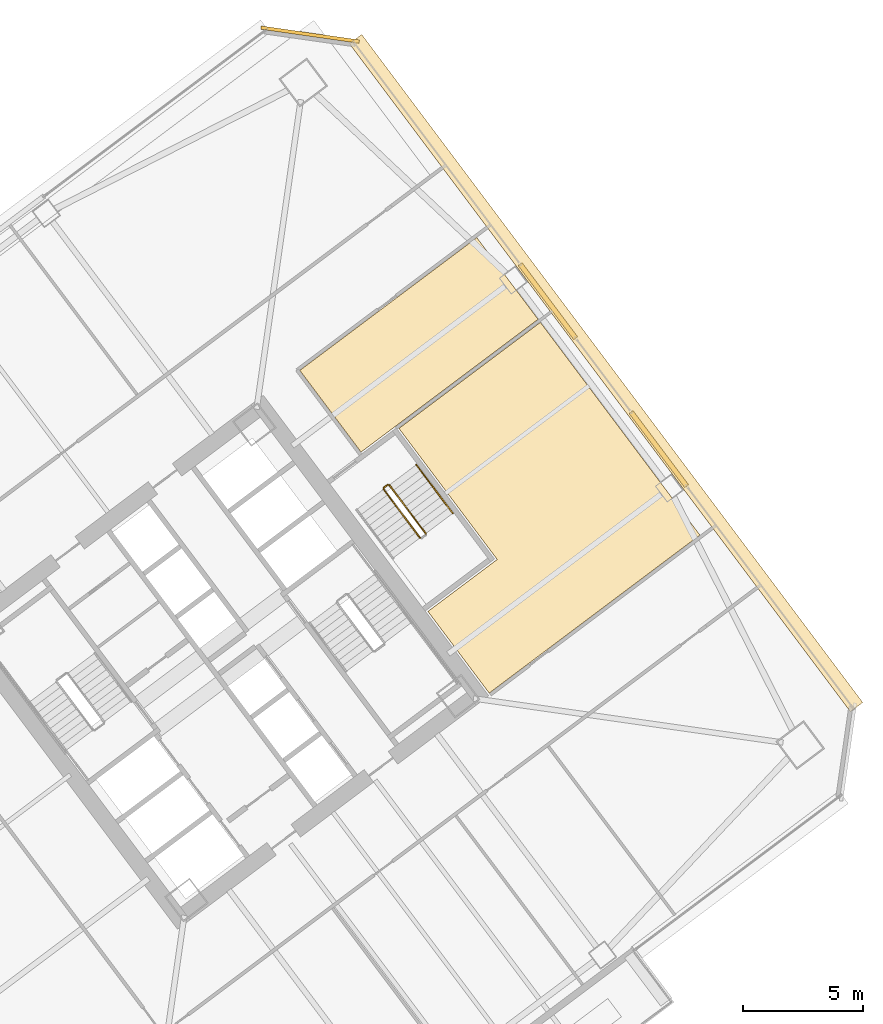
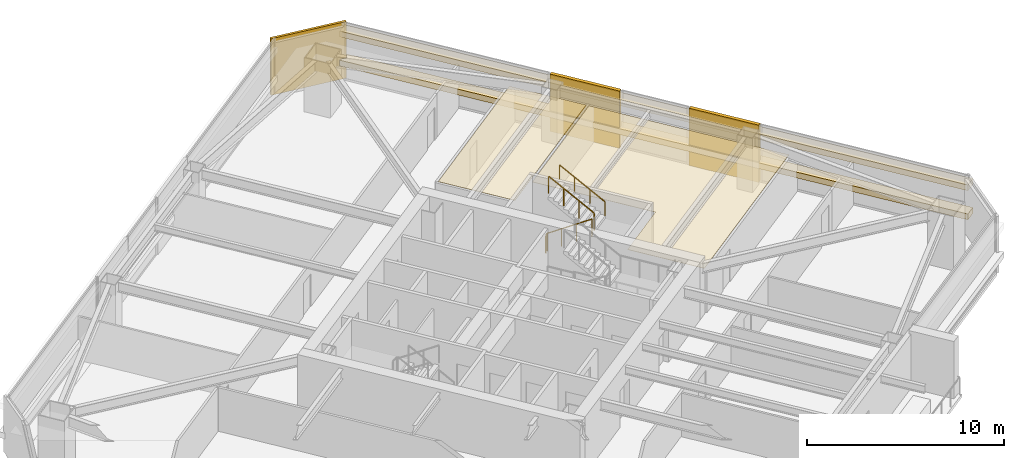
# One storey, part 45 of 46: 7 coverings, 4 railings.
"""IFC4 building model written with IfcOpenShell, lengths in metres."""

import ifcopenshell
import ifcopenshell.guid

model = None  # the IFC model being written
_history = None  # IfcOwnerHistory: only IFC2X3 demands one
_inside = {}  # id of a spatial element -> (the spatial element, [elements in it])
_under = {}  # id of a project, library or spatial element -> (it, [spatial elements below it])
_declared = {}  # id of a project -> (the project, [libraries it declares])
_typed = {}  # id of a type object -> (the type object, [elements of that type])
_made_of = {}  # id of a material, layer set ... -> (it, [elements and type objects made of it])


def new_model(schema):
    """Start an empty IFC model of exactly this schema.

    Asked for "IFC4X3", IfcOpenShell would pick the latest addendum, in which some entities
    have other attributes; the version numbers below select the first issue.
    IFC2X3 requires an IfcOwnerHistory on every rooted entity: one is made here for all.
    """
    global model, _history
    if schema == "IFC4X3":
        model = ifcopenshell.file(schema_version=(4, 3, 0, 0))
    else:
        model = ifcopenshell.file(schema=schema)
    _inside.clear()
    _under.clear()
    _declared.clear()
    _typed.clear()
    _made_of.clear()
    _history = None
    if model.schema == "IFC2X3":
        org = make("IfcOrganization", Name="unknown")
        user = make(
            "IfcPersonAndOrganization",
            ThePerson=make("IfcPerson", FamilyName="unknown"),
            TheOrganization=org,
        )
        app = make(
            "IfcApplication",
            ApplicationDeveloper=org,
            Version="unknown",
            ApplicationFullName="unknown",
            ApplicationIdentifier="unknown",
        )
        _history = make(
            "IfcOwnerHistory",
            OwningUser=user,
            OwningApplication=app,
            ChangeAction="ADDED",
            CreationDate=0,
        )
    return model


def make(cls, **values):
    """One entity of the class cls with the attributes given. An attribute that is None is left unset."""
    return model.create_entity(
        cls, **{name: value for name, value in values.items() if value is not None}
    )


def rooted(cls, **values):
    """An entity with a GlobalId (a new one), such as an element, a storey or a relation."""
    return make(cls, GlobalId=ifcopenshell.guid.new(), OwnerHistory=_history, **values)


def si_unit(unit_type, name, prefix=None):
    """IfcSIUnit, for example si_unit("LENGTHUNIT", "METRE", prefix="MILLI")."""
    return make("IfcSIUnit", UnitType=unit_type, Prefix=prefix, Name=name)


def assignment(units):
    """IfcUnitAssignment: the units of a project."""
    return None if units is None else make("IfcUnitAssignment", Units=units)


def point(xyz):
    """IfcCartesianPoint."""
    return None if xyz is None else make("IfcCartesianPoint", Coordinates=xyz)


def direction(xyz):
    """IfcDirection."""
    return None if xyz is None else make("IfcDirection", DirectionRatios=xyz)


def frame(location, z_axis=None, x_axis=None):
    """IfcAxis2Placement3D, a coordinate frame: its origin and axes. An axis left out is left unset."""
    return make(
        "IfcAxis2Placement3D",
        Location=point(location),
        Axis=direction(z_axis),
        RefDirection=direction(x_axis),
    )


def frame_2d(location, x_axis=None):
    """IfcAxis2Placement2D, a coordinate frame in the plane: its origin and x axis."""
    return make(
        "IfcAxis2Placement2D", Location=point(location), RefDirection=direction(x_axis)
    )


def origin():
    """The frame at (0, 0, 0) with its axes left unset."""
    return frame((0.0, 0.0, 0.0))


def origin_2d():
    """The frame at (0, 0) in the plane with its x axis left unset."""
    return frame_2d((0.0, 0.0))


def place(relative_to, where):
    """IfcLocalPlacement: puts the frame where relative to a parent placement (None: the world)."""
    return make(
        "IfcLocalPlacement", PlacementRelTo=relative_to, RelativePlacement=where
    )


def context(
    kind, dimensions, precision=None, world=None, true_north=None, identifier=None
):
    """IfcGeometricRepresentationContext, for example the 3D "Model" context."""
    return make(
        "IfcGeometricRepresentationContext",
        ContextIdentifier=identifier,
        ContextType=kind,
        CoordinateSpaceDimension=dimensions,
        Precision=precision,
        WorldCoordinateSystem=world,
        TrueNorth=true_north,
    )


def subcontext(parent, identifier, kind, view, scale=None):
    """IfcGeometricRepresentationSubContext, for example "Body" below "Model"."""
    return make(
        "IfcGeometricRepresentationSubContext",
        ContextIdentifier=identifier,
        ContextType=kind,
        ParentContext=parent,
        TargetScale=scale,
        TargetView=view,
    )


def project(units=None, contexts=None):
    """IfcProject with its units and contexts."""
    return rooted(
        "IfcProject",
        Name="project",
        RepresentationContexts=contexts,
        UnitsInContext=assignment(units),
    )


def spatial(cls, under=None, at=None, **own):
    """A site, building, storey or space (cls), placed at a placement, below another one or the project."""
    s = rooted(cls, ObjectPlacement=at, **own)
    if under is not None:
        _under.setdefault(under.id(), (under, []))[1].append(s)
    return s


def polyline(points):
    """IfcPolyline through the points."""
    return make("IfcPolyline", Points=[point(p) for p in points])


def profile(cls, at=None, kind="AREA", **sizes):
    """A parametric profile (cls). Its sizes go by their IFC names, for example OverallWidth=200.0."""
    return make(cls, ProfileType=kind, Position=at, **sizes)


def rectangle(**sizes):
    """IfcRectangleProfileDef."""
    return profile("IfcRectangleProfileDef", **sizes)


def outline(outer, holes=None, kind="AREA"):
    """IfcArbitraryClosedProfileDef: a profile drawn as a closed curve; with holes, ...WithVoids."""
    if holes is None:
        return make("IfcArbitraryClosedProfileDef", ProfileType=kind, OuterCurve=outer)
    return make(
        "IfcArbitraryProfileDefWithVoids",
        ProfileType=kind,
        OuterCurve=outer,
        InnerCurves=holes,
    )


def extrude(swept, where, along, depth):
    """IfcExtrudedAreaSolid: the profile swept, set in the frame where, extruded along a direction by depth."""
    return make(
        "IfcExtrudedAreaSolid",
        SweptArea=swept,
        Position=where,
        ExtrudedDirection=direction(along),
        Depth=depth,
    )


def shape(context_of_items, identifier, shape_type, items):
    """IfcShapeRepresentation: the items that make up one representation, for example the "Body"."""
    return make(
        "IfcShapeRepresentation",
        ContextOfItems=context_of_items,
        RepresentationIdentifier=identifier,
        RepresentationType=shape_type,
        Items=items,
    )


def material(Name=None, Category=None):
    """IfcMaterial."""
    return make("IfcMaterial", Name=Name, Category=Category)


def layer(
    of_material, thickness, ventilated=None, Name=None, Category=None, Priority=None
):
    """IfcMaterialLayer: one layer of a wall or slab, of a material (None: an air gap)."""
    return make(
        "IfcMaterialLayer",
        Material=of_material,
        LayerThickness=thickness,
        IsVentilated=ventilated,
        Name=Name,
        Category=Category,
        Priority=Priority,
    )


def layer_set(layers, Name=None):
    """IfcMaterialLayerSet."""
    return make("IfcMaterialLayerSet", MaterialLayers=layers, LayerSetName=Name)


def made_of(thing, what):
    """Note that an element or type object is made of a material, layer set ...; save() writes the relation."""
    if what is not None:
        _made_of.setdefault(what.id(), (what, []))[1].append(thing)
    return thing


def type_object(cls, material=None, **own):
    """A type object (cls), such as IfcWallType, which elements share."""
    return made_of(rooted(cls, **own), material)


def element(
    cls,
    number,
    at=None,
    inside=None,
    cuts=None,
    type_object=None,
    material=None,
    context=None,
    identifier="Body",
    shape_type=None,
    held_by="IfcProductDefinitionShape",
    body=None,
    shapes=None,
    **own,
):
    """One element of the class cls, such as IfcWall. Its Tag is "e" and its number.

    at: its placement. inside: the storey or other place that contains it. cuts: it is an
    opening in that element (IfcRelVoidsElement). A single representation is given by context,
    identifier, shape_type and body (its items); several are given by shapes. held_by: the class
    of the entity that holds the representations. save() writes the other relations.
    """
    e = rooted(cls, Tag="e%d" % number, ObjectPlacement=at, **own)
    if body is not None:
        shapes = [shape(context, identifier, shape_type, body)]
    if shapes is not None:
        e.Representation = make(held_by, Representations=shapes)
    if inside is not None:
        _inside.setdefault(inside.id(), (inside, []))[1].append(e)
    if cuts is not None:
        rooted(
            "IfcRelVoidsElement", RelatingBuildingElement=cuts, RelatedOpeningElement=e
        )
    if type_object is not None:
        _typed.setdefault(type_object.id(), (type_object, []))[1].append(e)
    return made_of(e, material)


def aggregate(whole, parts):
    """IfcRelAggregates: a whole, such as a stair, and the parts it consists of."""
    return rooted("IfcRelAggregates", RelatingObject=whole, RelatedObjects=parts)


def save(model, path):
    """Write the relations noted so far, then the file.

    IfcRelAggregates (storeys below a building ...), IfcRelContainedInSpatialStructure (elements
    in a storey), IfcRelDefinesByType, IfcRelAssociatesMaterial and IfcRelDeclares: one each for
    every whole, place, type object, material and project.
    """
    for whole, parts in _under.values():
        aggregate(whole, parts)
    for where, things in _inside.values():
        rooted(
            "IfcRelContainedInSpatialStructure",
            RelatedElements=things,
            RelatingStructure=where,
        )
    for kind, things in _typed.values():
        rooted("IfcRelDefinesByType", RelatedObjects=things, RelatingType=kind)
    for what, things in _made_of.values():
        rooted("IfcRelAssociatesMaterial", RelatedObjects=things, RelatingMaterial=what)
    for by, libraries in _declared.values():
        rooted("IfcRelDeclares", RelatingContext=by, RelatedDefinitions=libraries)
    model.write(path)


model = new_model("IFC4")

# Units and contexts
model_context = context("Model", 3, precision=1e-05, world=origin(), true_north=direction((0.0, 1.0)))
body_context = subcontext(model_context, "Body", "Model", "MODEL_VIEW")
ifc_project = project(units=[si_unit("LENGTHUNIT", "METRE"), si_unit("AREAUNIT", "SQUARE_METRE"), si_unit("VOLUMEUNIT", "CUBIC_METRE"), si_unit("PLANEANGLEUNIT", "RADIAN"), si_unit("MASSUNIT", "GRAM", prefix="KILO")], contexts=[model_context])

# Site, building, storey
site_placement = place(None, origin())
site = spatial("IfcSite", under=ifc_project, at=site_placement, CompositionType="ELEMENT")
building_placement = place(site_placement, origin())
building = spatial("IfcBuilding", under=site, at=building_placement, Name="Tashvorn Skyway Center", CompositionType="ELEMENT")
storey_placement = place(building_placement, frame((0.0, 0.0, 99.14990234375)))
storey = spatial("IfcBuildingStorey", under=building, at=storey_placement, Name="L26", CompositionType="ELEMENT", Elevation=99.14990234375)

# Coverings
ifc_material_1 = material(Name="Precast concrete C40/50", Category="concrete")
ifc_layer_1 = layer(ifc_material_1, 0.199951171875)
ifc_layer_set_1 = layer_set([ifc_layer_1], Name="Precast concrete C40/50")
covering_type_1 = type_object("IfcCoveringType", Name="COV-BRACE-CLAD", PredefinedType="CLADDING", material=ifc_layer_set_1)
for number, where, z_axis, x_axis, name in (
    (1, (127.60009765625, 47.0, 0.0), (0.0, 0.0, 1.0), (0.600000004945, -0.799999996291, 0.0), "Tower 2 L26 East Unitised Curtain Wall Mega-Brace Cladding Band 1"),
    (2, (132.2080078125, 40.85595703125, 0.0), (0.0, 0.0, 1.0), (0.600000004945, -0.799999996291, 0.0), "Tower 2 L26 East Unitised Curtain Wall Mega-Brace Cladding Band 2"),
):
    element("IfcCovering", number, at=place(storey_placement, frame(where, z_axis=z_axis, x_axis=x_axis)), inside=storey, type_object=covering_type_1, Name=name, PredefinedType="CLADDING", context=body_context, shape_type="SweptSolid", body=[
        extrude(rectangle(XDim=3.840087890625, YDim=0.199951171875, at=origin_2d()), origin(), (0.0, 0.0, 1.0), 3.550048828125),
    ])
ifc_material_2 = material(Name="Mineral-fibre acoustic ceiling tile on suspended grid")
ifc_layer_2 = layer(ifc_material_2, 0.02001953125)
ifc_layer_set_2 = layer_set([ifc_layer_2], Name="Mineral-fibre acoustic ceiling tile on suspended grid")
covering_type_2 = type_object("IfcCoveringType", Name="COV-CEIL-20", PredefinedType="CEILING", material=ifc_layer_set_2)
covering_1_placement = place(storey_placement, frame((0.0, 0.0, 2.68310546875)))
element("IfcCovering", 3, at=covering_1_placement, inside=storey, type_object=covering_type_2, Name="Tower 2 L26 Executive Suite Acoustic Ceiling", PredefinedType="CEILING", context=body_context, shape_type="SweptSolid", body=[
    extrude(outline(polyline([(119.840087890625, 40.72998046875), (117.2958984375, 44.1220703125), (124.64794921875, 49.635986328125), (127.19189453125, 46.243896484375), (119.840087890625, 40.72998046875)])), origin(), (0.0, 0.0, 1.0), 0.02001953125),
])
covering_2_placement = place(storey_placement, frame((0.0, 0.0, 2.68310546875)))
element("IfcCovering", 4, at=covering_2_placement, inside=storey, type_object=covering_type_2, Name="Tower 2 L26 Public Restroom Acoustic Ceiling", PredefinedType="CEILING", context=body_context, shape_type="SweptSolid", body=[
    extrude(outline(polyline([(125.159912109375, 30.719970703125), (122.615966796875, 34.112060546875), (125.49609375, 36.27197265625), (121.416015625, 41.7119140625), (127.2880859375, 46.115966796875), (131.367919921875, 40.676025390625), (133.912109375, 37.283935546875), (125.159912109375, 30.719970703125)])), origin(), (0.0, 0.0, 1.0), 0.02001953125),
])
ifc_material_3 = material(Name="Perforated ceramic-coated bronze aluminium solar screen", Category="aluminium")
ifc_layer_3 = layer(ifc_material_3, 0.85009765625)
ifc_layer_set_3 = layer_set([ifc_layer_3], Name="Perforated ceramic-coated bronze aluminium solar screen")
covering_type_3 = type_object("IfcCoveringType", Name="COV-SOLAR-BAND", PredefinedType="CLADDING", material=ifc_layer_set_3)
for number, where, z_axis, x_axis, name in (
    (5, (130.01611328125, 44.011962890625, 0.919921875), (0.0, 0.0, 1.0), (0.600000004945, -0.799999996291, 0.0), "L26 Perforated Ceramic-Metal Solar Screen Louvre Band East 1"),
    (6, (130.01611328125, 44.011962890625, 2.72021484375), (0.0, 0.0, 1.0), (0.600000004945, -0.799999996291, 0.0), "L26 Perforated Ceramic-Metal Solar Screen Louvre Band East 2"),
):
    element("IfcCovering", number, at=place(storey_placement, frame(where, z_axis=z_axis, x_axis=x_axis)), inside=storey, type_object=covering_type_3, Name=name, PredefinedType="CLADDING", context=body_context, shape_type="SweptSolid", body=[
        extrude(rectangle(XDim=34.679931640625, YDim=0.639892578125, at=origin_2d()), origin(), (0.0, 0.0, 1.0), 0.360107421875),
    ])
ifc_layer_4 = layer(ifc_material_1, 0.35009765625)
ifc_layer_set_4 = layer_set([ifc_layer_4], Name="Precast concrete C40/50")
covering_type_4 = type_object("IfcCoveringType", Name="COV-STONE-TRIM", PredefinedType="CLADDING", material=ifc_layer_set_4)
covering_3_placement = place(storey_placement, frame((117.72412109375, 58.068115234375, 0.02001953125), z_axis=(0.0, 0.0, 1.0), x_axis=(0.989949494535, -0.141421350118, 0.0)))
element("IfcCovering", 7, at=covering_3_placement, inside=storey, type_object=covering_type_4, Name="Tower 2 L26 NE Mojave Limestone Corner Quoin", PredefinedType="CLADDING", context=body_context, shape_type="SweptSolid", body=[
    extrude(rectangle(XDim=4.119873046875, YDim=0.139892578125, at=origin_2d()), origin(), (0.0, 0.0, 1.0), 3.510009765625),
])

# Railings
ifc_material_4 = material(Name="Brushed stainless steel 316", Category="steel")
railing_type_1 = type_object("IfcRailingType", Name="RAIL-HAND-920", PredefinedType="HANDRAIL", material=ifc_material_4)
railing_1_placement = place(storey_placement, frame((123.64794921875, 38.18603515625, 1.95263671875)))
element("IfcRailing", 8, at=railing_1_placement, inside=storey, type_object=railing_type_1, Name="L26 ST-T2-3 stair handrail 2", PredefinedType="HANDRAIL", context=body_context, shape_type="SweptSolid", body=[
    extrude(rectangle(XDim=0.048095703125, YDim=0.048095703125, at=origin_2d()), frame((0.0, 0.0, 0.8759765625), z_axis=(-0.506768818287, 0.675664481285, 0.535409071218), x_axis=(-0.79998837352, -0.60001550166, 0.0)), (0.0, 0.0, 1.0), 2.983642578125),
    extrude(rectangle(XDim=0.0419921875, YDim=0.0419921875, at=origin_2d()), origin(), (0.0, 0.0, 1.0), 0.851806640625),
    extrude(rectangle(XDim=0.0419921875, YDim=0.0419921875, at=origin_2d()), frame((-0.50390625, 0.671875, 0.532470703125)), (0.0, 0.0, 1.0), 0.851806640625),
    extrude(rectangle(XDim=0.0419921875, YDim=0.0419921875, at=origin_2d()), frame((-1.008056640625, 1.343994140625, 1.06494140625)), (0.0, 0.0, 1.0), 0.851806640625),
    extrude(rectangle(XDim=0.0419921875, YDim=0.0419921875, at=origin_2d()), frame((-1.511962890625, 2.015869140625, 1.597412109375)), (0.0, 0.0, 1.0), 0.851806640625),
])
ifc_material_5 = material(Name="Painted galvanized steel S355", Category="steel")
railing_type_2 = type_object("IfcRailingType", Name="RAIL-STGUARD-1100", PredefinedType="GUARDRAIL", material=ifc_material_5)
railing_2_placement = place(storey_placement, frame((120.77587890625, 39.181884765625, 0.177490234375)))
element("IfcRailing", 9, at=railing_2_placement, inside=storey, type_object=railing_type_2, Name="L26 ST-T2-3 stair guard 1", PredefinedType="GUARDRAIL", context=body_context, shape_type="SweptSolid", body=[
    extrude(rectangle(XDim=0.048095703125, YDim=0.048095703125, at=origin_2d()), frame((0.0, 0.0, 1.076171875), z_axis=(0.506807425148, -0.675606863004, 0.535445235739), x_axis=(0.799941867976, 0.600077501544, 0.0)), (0.0, 0.0, 1.0), 2.98388671875),
    extrude(rectangle(XDim=0.0419921875, YDim=0.0419921875, at=origin_2d()), origin(), (0.0, 0.0, 1.0), 1.052001953125),
    extrude(rectangle(XDim=0.0419921875, YDim=0.0419921875, at=origin_2d()), frame((0.504150390625, -0.671875, 0.532470703125)), (0.0, 0.0, 1.0), 1.052001953125),
    extrude(rectangle(XDim=0.0419921875, YDim=0.0419921875, at=origin_2d()), frame((1.008056640625, -1.343994140625, 1.065185546875)), (0.0, 0.0, 1.0), 1.052001953125),
    extrude(rectangle(XDim=0.0419921875, YDim=0.0419921875, at=origin_2d()), frame((1.51220703125, -2.015869140625, 1.59765625)), (0.0, 0.0, 1.0), 1.052001953125),
])
railing_3_placement = place(storey_placement, frame((122.528076171875, 37.345947265625, 1.95263671875)))
element("IfcRailing", 10, at=railing_3_placement, inside=storey, type_object=railing_type_2, Name="L26 ST-T2-3 stair guard 3", PredefinedType="GUARDRAIL", context=body_context, shape_type="SweptSolid", body=[
    extrude(rectangle(XDim=0.048095703125, YDim=0.048095703125, at=origin_2d()), frame((0.0, 0.0, 1.076171875), z_axis=(-0.506740800098, 0.675708949977, 0.535379469569), x_axis=(-0.800023250257, -0.599968998406, 0.0)), (0.0, 0.0, 1.0), 2.983642578125),
    extrude(rectangle(XDim=0.0419921875, YDim=0.0419921875, at=origin_2d()), origin(), (0.0, 0.0, 1.0), 1.052001953125),
    extrude(rectangle(XDim=0.0419921875, YDim=0.0419921875, at=origin_2d()), frame((-0.50390625, 0.672119140625, 0.532470703125)), (0.0, 0.0, 1.0), 1.052001953125),
    extrude(rectangle(XDim=0.0419921875, YDim=0.0419921875, at=origin_2d()), frame((-1.008056640625, 1.343994140625, 1.06494140625)), (0.0, 0.0, 1.0), 1.052001953125),
    extrude(rectangle(XDim=0.0419921875, YDim=0.0419921875, at=origin_2d()), frame((-1.511962890625, 2.01611328125, 1.597412109375)), (0.0, 0.0, 1.0), 1.052001953125),
])
railing_4_placement = place(storey_placement, frame((120.785888671875, 39.251953125, 0.0)))
element("IfcRailing", 11, at=railing_4_placement, inside=storey, type_object=railing_type_2, Name="L26 ST-T2-3 stair guard 4", PredefinedType="GUARDRAIL", context=body_context, shape_type="SweptSolid", body=[
    extrude(rectangle(XDim=0.048095703125, YDim=0.048095703125, at=origin_2d()), frame((0.0, 0.0, 1.076171875), z_axis=(0.8, 0.6, 0.0), x_axis=(-0.6, 0.8, 0.0)), (0.0, 0.0, 1.0), 0.2001953125),
    extrude(rectangle(XDim=0.0419921875, YDim=0.0419921875, at=origin_2d()), origin(), (0.0, 0.0, 1.0), 1.052001953125),
    extrude(rectangle(XDim=0.0419921875, YDim=0.0419921875, at=origin_2d()), frame((0.16015625, 0.1201171875, 0.0)), (0.0, 0.0, 1.0), 1.052001953125),
])

save(model, "model.ifc")
